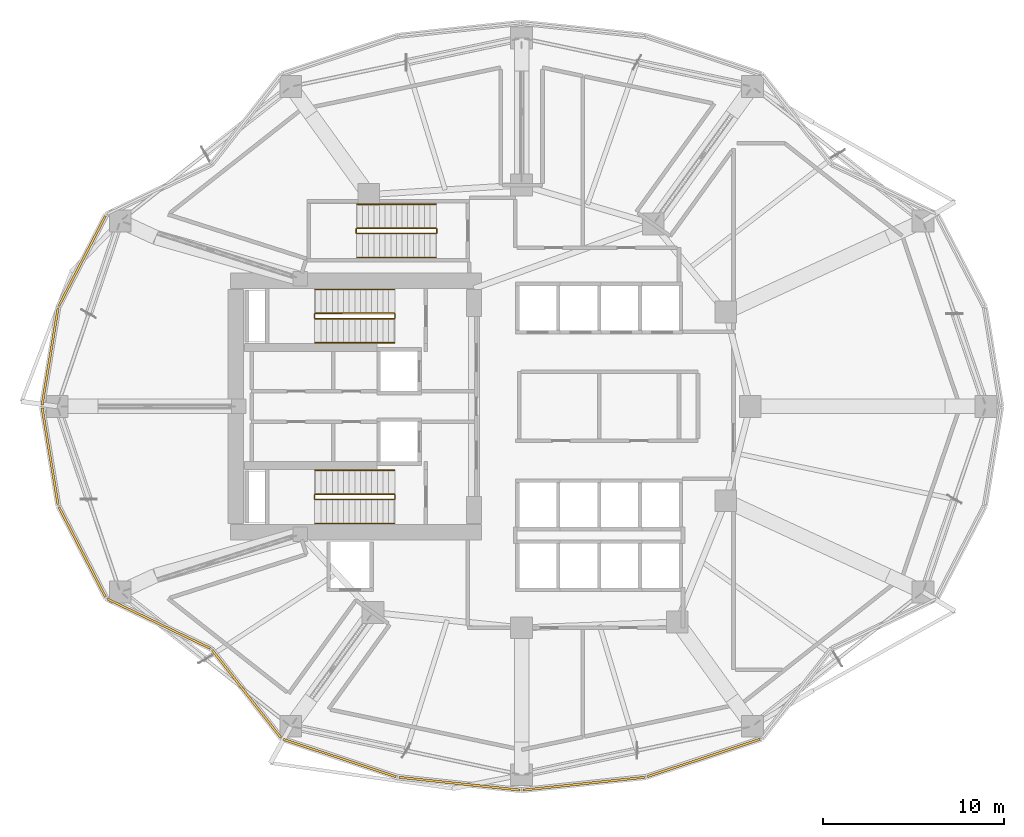
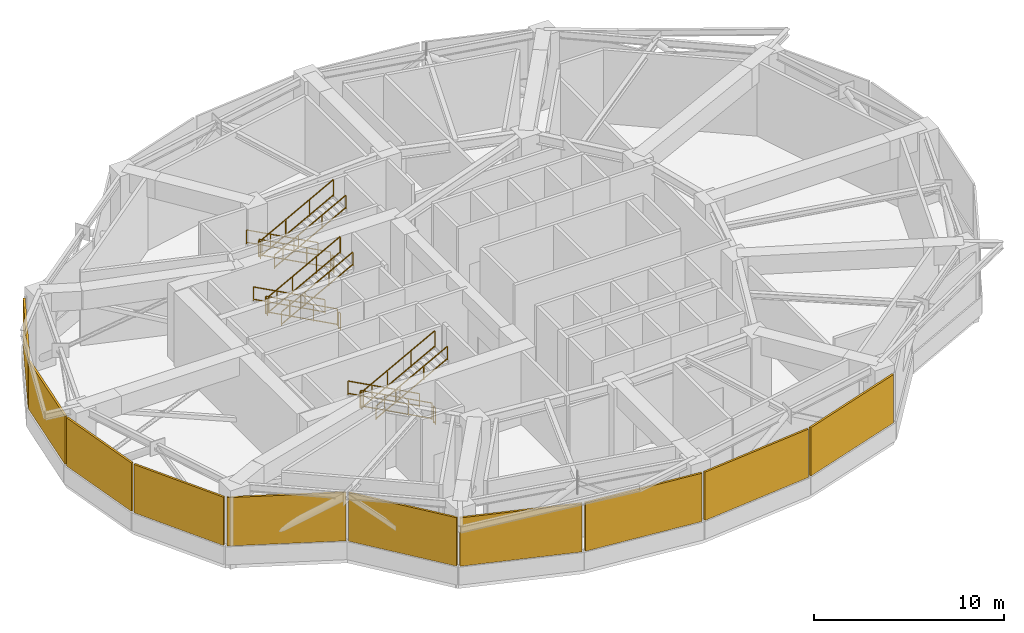
# One storey, part 11 of 12: 18 railings, 10 coverings.
"""IFC4 building model written with IfcOpenShell, lengths in metres."""

from ifc_helpers import new_model, si_unit, direction, frame, origin, origin_2d, place, context, subcontext, project, spatial, rectangle, extrude, material, layer, layer_set, type_object, element, save


model = new_model("IFC4")

# Units and contexts
model_context = context("Model", 3, precision=1e-05, world=origin(), true_north=direction((0.0, 1.0)))
body_context = subcontext(model_context, "Body", "Model", "MODEL_VIEW")
ifc_project = project(units=[si_unit("LENGTHUNIT", "METRE"), si_unit("AREAUNIT", "SQUARE_METRE"), si_unit("VOLUMEUNIT", "CUBIC_METRE"), si_unit("PLANEANGLEUNIT", "RADIAN"), si_unit("MASSUNIT", "GRAM", prefix="KILO")], contexts=[model_context])

# Site, building, storey
site_placement = place(None, origin())
site = spatial("IfcSite", under=ifc_project, at=site_placement, CompositionType="ELEMENT")
building_placement = place(site_placement, origin())
building = spatial("IfcBuilding", under=site, at=building_placement, Name="Kolvaren Gate Tower and Convention Centre", CompositionType="ELEMENT")
storey_placement = place(building_placement, frame((0.0, 0.0, 95.800048828125)))
storey = spatial("IfcBuildingStorey", under=building, at=storey_placement, Name="L23", CompositionType="ELEMENT", Elevation=95.800048828125)

# Coverings
ifc_material_1 = material(Name="Honed Warm Andean Limestone Rainscreen Cladding 120 mm", Category="masonry")
ifc_layer = layer(ifc_material_1, 0.1201171875)
ifc_layer_set = layer_set([ifc_layer], Name="Honed Warm Andean Limestone Rainscreen Cladding 120 mm")
covering_type = type_object("IfcCoveringType", Name="ARCH-COV-LOUVRE", PredefinedType="CLADDING", material=ifc_layer_set)
covering_1_placement = place(storey_placement, frame((5.908935546875, 35.0244140625, 1.139892578125), z_axis=(0.0, 0.0, 1.0), x_axis=(0.45980150925, 0.888021718254, 0.0)))
element("IfcCovering", 1, at=covering_1_placement, inside=storey, type_object=covering_type, Name="Plant Floor L23 Honed Limestone Rainscreen Cladding LV-10", PredefinedType="CLADDING", context=body_context, shape_type="SweptSolid", body=[
    extrude(rectangle(XDim=5.584228515625, YDim=0.1201171875, at=origin_2d()), origin(), (0.0, 0.0, 1.0), 3.10302734375),
])
for number, where, z_axis, x_axis, name in (
    (2, (4.137939453125, 29.737060546875, 1.139892578125), (0.0, 0.0, 1.0), (0.162375401515, 0.986729055508, 0.0), "Plant Floor L23 Honed Limestone Rainscreen Cladding LV-11"),
    (3, (4.137939453125, 24.262939453125, 1.139892578125), (0.0, 0.0, 1.0), (0.162375401515, -0.986729055508, 0.0), "Plant Floor L23 Honed Limestone Rainscreen Cladding LV-12"),
):
    element("IfcCovering", number, at=place(storey_placement, frame(where, z_axis=z_axis, x_axis=x_axis)), inside=storey, type_object=covering_type, Name=name, PredefinedType="CLADDING", context=body_context, shape_type="SweptSolid", body=[
        extrude(rectangle(XDim=5.3876953125, YDim=0.1201171875, at=origin_2d()), origin(), (0.0, 0.0, 1.0), 3.10302734375),
    ])
covering_2_placement = place(storey_placement, frame((5.908935546875, 18.9755859375, 1.139892578125), z_axis=(0.0, 0.0, 1.0), x_axis=(0.45980150925, -0.888021718254, 0.0)))
element("IfcCovering", 4, at=covering_2_placement, inside=storey, type_object=covering_type, Name="Plant Floor L23 Honed Limestone Rainscreen Cladding LV-13", PredefinedType="CLADDING", context=body_context, shape_type="SweptSolid", body=[
    extrude(rectangle(XDim=5.584228515625, YDim=0.1201171875, at=origin_2d()), origin(), (0.0, 0.0, 1.0), 3.10302734375),
])
covering_3_placement = place(storey_placement, frame((10.127685546875, 15.032470703125, 1.139892578125), z_axis=(0.0, 0.0, 1.0), x_axis=(0.901357634097, -0.433075530889, 0.0)))
element("IfcCovering", 5, at=covering_3_placement, inside=storey, type_object=covering_type, Name="Plant Floor L23 Honed Limestone Rainscreen Cladding LV-14", PredefinedType="CLADDING", context=body_context, shape_type="SweptSolid", body=[
    extrude(rectangle(XDim=6.27099609375, YDim=0.1201171875, at=origin_2d()), origin(), (0.0, 0.0, 1.0), 3.10302734375),
])
covering_4_placement = place(storey_placement, frame((14.966064453125, 11.161865234375, 1.139892578125), z_axis=(0.0, 0.0, 1.0), x_axis=(0.616431370541, -0.787408639407, 0.0)))
element("IfcCovering", 6, at=covering_4_placement, inside=storey, type_object=covering_type, Name="Plant Floor L23 Honed Limestone Rainscreen Cladding LV-15", PredefinedType="CLADDING", context=body_context, shape_type="SweptSolid", body=[
    extrude(rectangle(XDim=6.134521484375, YDim=0.1201171875, at=origin_2d()), origin(), (0.0, 0.0, 1.0), 3.10302734375),
])
covering_5_placement = place(storey_placement, frame((20.09423828125, 7.627197265625, 1.139892578125), z_axis=(0.0, 0.0, 1.0), x_axis=(0.949241728595, -0.314547517385, 0.0)))
element("IfcCovering", 7, at=covering_5_placement, inside=storey, type_object=covering_type, Name="Plant Floor L23 Honed Limestone Rainscreen Cladding LV-16", PredefinedType="CLADDING", context=body_context, shape_type="SweptSolid", body=[
    extrude(rectangle(XDim=6.557373046875, YDim=0.1201171875, at=origin_2d()), origin(), (0.0, 0.0, 1.0), 3.10302734375),
])
for number, where, z_axis, x_axis, name in (
    (8, (26.70361328125, 6.21044921875, 1.139892578125), (0.0, 0.0, 1.0), (0.994498884311, -0.104747167526, 0.0), "Plant Floor L23 Honed Limestone Rainscreen Cladding LV-17"),
    (9, (33.54638671875, 6.21044921875, 1.139892578125), (0.0, 0.0, 1.0), (0.994498884311, 0.104747167526, 0.0), "Plant Floor L23 Honed Limestone Rainscreen Cladding LV-18"),
):
    element("IfcCovering", number, at=place(storey_placement, frame(where, z_axis=z_axis, x_axis=x_axis)), inside=storey, type_object=covering_type, Name=name, PredefinedType="CLADDING", context=body_context, shape_type="SweptSolid", body=[
        extrude(rectangle(XDim=6.72021484375, YDim=0.1201171875, at=origin_2d()), origin(), (0.0, 0.0, 1.0), 3.10302734375),
    ])
covering_6_placement = place(storey_placement, frame((40.15576171875, 7.627197265625, 1.139892578125), z_axis=(0.0, 0.0, 1.0), x_axis=(0.949241728595, 0.314547517385, 0.0)))
element("IfcCovering", 10, at=covering_6_placement, inside=storey, type_object=covering_type, Name="Plant Floor L23 Honed Limestone Rainscreen Cladding LV-19", PredefinedType="CLADDING", context=body_context, shape_type="SweptSolid", body=[
    extrude(rectangle(XDim=6.557373046875, YDim=0.1201171875, at=origin_2d()), origin(), (0.0, 0.0, 1.0), 3.10302734375),
])

# Railings
ifc_material_2 = material(Name="Brushed Stainless Steel Grade 316L", Category="steel")
railing_type_1 = type_object("IfcRailingType", Name="ARCH-RL-GUARD-1150", PredefinedType="GUARDRAIL", material=ifc_material_2)
railing_1_placement = place(storey_placement, frame((23.10009765625, 32.1298828125, 0.16650390625)))
element("IfcRailing", 11, at=railing_1_placement, inside=storey, type_object=railing_type_1, Name="L23 ST-T1 stair guard 1", PredefinedType="GUARDRAIL", context=body_context, shape_type="SweptSolid", body=[
    extrude(rectangle(XDim=0.048095703125, YDim=0.048095703125, at=origin_2d()), frame((0.0, 0.0, 1.076171875), z_axis=(-0.880765247009, 0.0, 0.473553143439), x_axis=(0.0, -1.0, 0.0)), (0.0, 0.0, 1.0), 4.927734375),
    extrude(rectangle(XDim=0.048095703125, YDim=0.048095703125, at=origin_2d()), frame((0.0, 0.0, 0.083984375), z_axis=(-0.880765247009, 0.0, 0.473553143439), x_axis=(0.0, -1.0, 0.0)), (0.0, 0.0, 1.0), 4.927734375),
    extrude(rectangle(XDim=0.0419921875, YDim=0.0419921875, at=origin_2d()), origin(), (0.0, 0.0, 1.0), 1.050048828125),
    extrude(rectangle(XDim=0.0419921875, YDim=0.0419921875, at=origin_2d()), frame((-4.340087890625, 0.0, 2.33349609375)), (0.0, 0.0, 1.0), 1.050048828125),
    extrude(rectangle(XDim=0.0419921875, YDim=0.0419921875, at=origin_2d()), frame((-1.44677734375, 0.0, 0.77783203125)), (0.0, 0.0, 1.0), 1.050048828125),
    extrude(rectangle(XDim=0.0419921875, YDim=0.0419921875, at=origin_2d()), frame((-2.893310546875, 0.0, 1.5556640625)), (0.0, 0.0, 1.0), 1.050048828125),
])
railing_2_placement = place(storey_placement, frame((18.7099609375, 32.080078125, 2.5)))
element("IfcRailing", 12, at=railing_2_placement, inside=storey, type_object=railing_type_1, Name="L23 ST-T1 stair guard 2", PredefinedType="GUARDRAIL", context=body_context, shape_type="SweptSolid", body=[
    extrude(rectangle(XDim=0.048095703125, YDim=0.048095703125, at=origin_2d()), frame((0.0, 0.0, 1.076171875), z_axis=(0.0, -1.0, 0.0), x_axis=(1.0, 0.0, 0.0)), (0.0, 0.0, 1.0), 0.2001953125),
    extrude(rectangle(XDim=0.048095703125, YDim=0.048095703125, at=origin_2d()), frame((0.0, 0.0, 0.083984375), z_axis=(0.0, -1.0, 0.0), x_axis=(1.0, 0.0, 0.0)), (0.0, 0.0, 1.0), 0.2001953125),
    extrude(rectangle(XDim=0.0419921875, YDim=0.0419921875, at=origin_2d()), origin(), (0.0, 0.0, 1.0), 1.050048828125),
    extrude(rectangle(XDim=0.0419921875, YDim=0.0419921875, at=origin_2d()), frame((0.0, -0.2001953125, 0.0)), (0.0, 0.0, 1.0), 1.050048828125),
])
railing_3_placement = place(storey_placement, frame((18.760009765625, 31.830078125, 2.66650390625)))
element("IfcRailing", 13, at=railing_3_placement, inside=storey, type_object=railing_type_1, Name="L23 ST-T1 stair guard 3", PredefinedType="GUARDRAIL", context=body_context, shape_type="SweptSolid", body=[
    extrude(rectangle(XDim=0.048095703125, YDim=0.048095703125, at=origin_2d()), frame((0.0, 0.0, 1.076171875), z_axis=(0.880765247009, 0.0, 0.473553143439), x_axis=(0.0, 1.0, 0.0)), (0.0, 0.0, 1.0), 4.927734375),
    extrude(rectangle(XDim=0.048095703125, YDim=0.048095703125, at=origin_2d()), frame((0.0, 0.0, 0.083984375), z_axis=(0.880765247009, 0.0, 0.473553143439), x_axis=(0.0, 1.0, 0.0)), (0.0, 0.0, 1.0), 4.927734375),
    extrude(rectangle(XDim=0.0419921875, YDim=0.0419921875, at=origin_2d()), origin(), (0.0, 0.0, 1.0), 1.050048828125),
    extrude(rectangle(XDim=0.0419921875, YDim=0.0419921875, at=origin_2d()), frame((4.340087890625, 0.0, 2.33349609375)), (0.0, 0.0, 1.0), 1.050048828125),
    extrude(rectangle(XDim=0.0419921875, YDim=0.0419921875, at=origin_2d()), frame((1.44677734375, 0.0, 0.77783203125)), (0.0, 0.0, 1.0), 1.050048828125),
    extrude(rectangle(XDim=0.0419921875, YDim=0.0419921875, at=origin_2d()), frame((2.893310546875, 0.0, 1.5556640625)), (0.0, 0.0, 1.0), 1.050048828125),
])
railing_4_placement = place(storey_placement, frame((23.14990234375, 32.080078125, 0.0)))
element("IfcRailing", 14, at=railing_4_placement, inside=storey, type_object=railing_type_1, Name="L23 ST-T1 stair guard 4", PredefinedType="GUARDRAIL", context=body_context, shape_type="SweptSolid", body=[
    extrude(rectangle(XDim=0.048095703125, YDim=0.048095703125, at=origin_2d()), frame((0.0, 0.0, 1.076171875), z_axis=(0.0, -1.0, 0.0), x_axis=(1.0, 0.0, 0.0)), (0.0, 0.0, 1.0), 0.2001953125),
    extrude(rectangle(XDim=0.048095703125, YDim=0.048095703125, at=origin_2d()), frame((0.0, 0.0, 0.083984375), z_axis=(0.0, -1.0, 0.0), x_axis=(1.0, 0.0, 0.0)), (0.0, 0.0, 1.0), 0.2001953125),
    extrude(rectangle(XDim=0.0419921875, YDim=0.0419921875, at=origin_2d()), origin(), (0.0, 0.0, 1.0), 1.050048828125),
    extrude(rectangle(XDim=0.0419921875, YDim=0.0419921875, at=origin_2d()), frame((0.0, -0.2001953125, 0.0)), (0.0, 0.0, 1.0), 1.050048828125),
])
railing_5_placement = place(storey_placement, frame((23.10009765625, 22.169921875, 0.16650390625)))
element("IfcRailing", 15, at=railing_5_placement, inside=storey, type_object=railing_type_1, Name="L23 ST-T2 stair guard 1", PredefinedType="GUARDRAIL", context=body_context, shape_type="SweptSolid", body=[
    extrude(rectangle(XDim=0.048095703125, YDim=0.048095703125, at=origin_2d()), frame((0.0, 0.0, 1.076171875), z_axis=(-0.880765247009, 0.0, 0.473553143439), x_axis=(0.0, -1.0, 0.0)), (0.0, 0.0, 1.0), 4.927734375),
    extrude(rectangle(XDim=0.048095703125, YDim=0.048095703125, at=origin_2d()), frame((0.0, 0.0, 0.083984375), z_axis=(-0.880765247009, 0.0, 0.473553143439), x_axis=(0.0, -1.0, 0.0)), (0.0, 0.0, 1.0), 4.927734375),
    extrude(rectangle(XDim=0.0419921875, YDim=0.0419921875, at=origin_2d()), origin(), (0.0, 0.0, 1.0), 1.050048828125),
    extrude(rectangle(XDim=0.0419921875, YDim=0.0419921875, at=origin_2d()), frame((-4.340087890625, 0.0, 2.33349609375)), (0.0, 0.0, 1.0), 1.050048828125),
    extrude(rectangle(XDim=0.0419921875, YDim=0.0419921875, at=origin_2d()), frame((-1.44677734375, 0.0, 0.77783203125)), (0.0, 0.0, 1.0), 1.050048828125),
    extrude(rectangle(XDim=0.0419921875, YDim=0.0419921875, at=origin_2d()), frame((-2.893310546875, 0.0, 1.5556640625)), (0.0, 0.0, 1.0), 1.050048828125),
])
railing_6_placement = place(storey_placement, frame((18.7099609375, 22.1201171875, 2.5)))
element("IfcRailing", 16, at=railing_6_placement, inside=storey, type_object=railing_type_1, Name="L23 ST-T2 stair guard 2", PredefinedType="GUARDRAIL", context=body_context, shape_type="SweptSolid", body=[
    extrude(rectangle(XDim=0.048095703125, YDim=0.048095703125, at=origin_2d()), frame((0.0, 0.0, 1.076171875), z_axis=(0.0, -1.0, 0.0), x_axis=(1.0, 0.0, 0.0)), (0.0, 0.0, 1.0), 0.2001953125),
    extrude(rectangle(XDim=0.048095703125, YDim=0.048095703125, at=origin_2d()), frame((0.0, 0.0, 0.083984375), z_axis=(0.0, -1.0, 0.0), x_axis=(1.0, 0.0, 0.0)), (0.0, 0.0, 1.0), 0.2001953125),
    extrude(rectangle(XDim=0.0419921875, YDim=0.0419921875, at=origin_2d()), origin(), (0.0, 0.0, 1.0), 1.050048828125),
    extrude(rectangle(XDim=0.0419921875, YDim=0.0419921875, at=origin_2d()), frame((0.0, -0.2001953125, 0.0)), (0.0, 0.0, 1.0), 1.050048828125),
])
railing_7_placement = place(storey_placement, frame((18.760009765625, 21.8701171875, 2.66650390625)))
element("IfcRailing", 17, at=railing_7_placement, inside=storey, type_object=railing_type_1, Name="L23 ST-T2 stair guard 3", PredefinedType="GUARDRAIL", context=body_context, shape_type="SweptSolid", body=[
    extrude(rectangle(XDim=0.048095703125, YDim=0.048095703125, at=origin_2d()), frame((0.0, 0.0, 1.076171875), z_axis=(0.880765247009, 0.0, 0.473553143439), x_axis=(0.0, 1.0, 0.0)), (0.0, 0.0, 1.0), 4.927734375),
    extrude(rectangle(XDim=0.048095703125, YDim=0.048095703125, at=origin_2d()), frame((0.0, 0.0, 0.083984375), z_axis=(0.880765247009, 0.0, 0.473553143439), x_axis=(0.0, 1.0, 0.0)), (0.0, 0.0, 1.0), 4.927734375),
    extrude(rectangle(XDim=0.0419921875, YDim=0.0419921875, at=origin_2d()), origin(), (0.0, 0.0, 1.0), 1.050048828125),
    extrude(rectangle(XDim=0.0419921875, YDim=0.0419921875, at=origin_2d()), frame((4.340087890625, 0.0, 2.33349609375)), (0.0, 0.0, 1.0), 1.050048828125),
    extrude(rectangle(XDim=0.0419921875, YDim=0.0419921875, at=origin_2d()), frame((1.44677734375, 0.0, 0.77783203125)), (0.0, 0.0, 1.0), 1.050048828125),
    extrude(rectangle(XDim=0.0419921875, YDim=0.0419921875, at=origin_2d()), frame((2.893310546875, 0.0, 1.5556640625)), (0.0, 0.0, 1.0), 1.050048828125),
])
railing_8_placement = place(storey_placement, frame((23.14990234375, 22.1201171875, 0.0)))
element("IfcRailing", 18, at=railing_8_placement, inside=storey, type_object=railing_type_1, Name="L23 ST-T2 stair guard 4", PredefinedType="GUARDRAIL", context=body_context, shape_type="SweptSolid", body=[
    extrude(rectangle(XDim=0.048095703125, YDim=0.048095703125, at=origin_2d()), frame((0.0, 0.0, 1.076171875), z_axis=(0.0, -1.0, 0.0), x_axis=(1.0, 0.0, 0.0)), (0.0, 0.0, 1.0), 0.2001953125),
    extrude(rectangle(XDim=0.048095703125, YDim=0.048095703125, at=origin_2d()), frame((0.0, 0.0, 0.083984375), z_axis=(0.0, -1.0, 0.0), x_axis=(1.0, 0.0, 0.0)), (0.0, 0.0, 1.0), 0.2001953125),
    extrude(rectangle(XDim=0.0419921875, YDim=0.0419921875, at=origin_2d()), origin(), (0.0, 0.0, 1.0), 1.050048828125),
    extrude(rectangle(XDim=0.0419921875, YDim=0.0419921875, at=origin_2d()), frame((0.0, -0.2001953125, 0.0)), (0.0, 0.0, 1.0), 1.050048828125),
])
railing_9_placement = place(storey_placement, frame((25.39990234375, 36.830078125, 0.16650390625)))
element("IfcRailing", 19, at=railing_9_placement, inside=storey, type_object=railing_type_1, Name="L23 ST-T3 stair guard 1", PredefinedType="GUARDRAIL", context=body_context, shape_type="SweptSolid", body=[
    extrude(rectangle(XDim=0.048095703125, YDim=0.048095703125, at=origin_2d()), frame((0.0, 0.0, 1.076171875), z_axis=(-0.88075413564, 0.0, 0.473573808981), x_axis=(0.0, -1.0, 0.0)), (0.0, 0.0, 1.0), 4.927490234375),
    extrude(rectangle(XDim=0.048095703125, YDim=0.048095703125, at=origin_2d()), frame((0.0, 0.0, 0.083984375), z_axis=(-0.88075413564, 0.0, 0.473573808981), x_axis=(0.0, -1.0, 0.0)), (0.0, 0.0, 1.0), 4.927490234375),
    extrude(rectangle(XDim=0.0419921875, YDim=0.0419921875, at=origin_2d()), origin(), (0.0, 0.0, 1.0), 1.050048828125),
    extrude(rectangle(XDim=0.0419921875, YDim=0.0419921875, at=origin_2d()), frame((-4.33984375, 0.0, 2.33349609375)), (0.0, 0.0, 1.0), 1.050048828125),
    extrude(rectangle(XDim=0.0419921875, YDim=0.0419921875, at=origin_2d()), frame((-1.446533203125, 0.0, 0.77783203125)), (0.0, 0.0, 1.0), 1.050048828125),
    extrude(rectangle(XDim=0.0419921875, YDim=0.0419921875, at=origin_2d()), frame((-2.893310546875, 0.0, 1.5556640625)), (0.0, 0.0, 1.0), 1.050048828125),
])
railing_10_placement = place(storey_placement, frame((21.010009765625, 36.780029296875, 2.5)))
element("IfcRailing", 20, at=railing_10_placement, inside=storey, type_object=railing_type_1, Name="L23 ST-T3 stair guard 2", PredefinedType="GUARDRAIL", context=body_context, shape_type="SweptSolid", body=[
    extrude(rectangle(XDim=0.048095703125, YDim=0.048095703125, at=origin_2d()), frame((0.0, 0.0, 1.076171875), z_axis=(0.0, -1.0, 0.0), x_axis=(1.0, 0.0, 0.0)), (0.0, 0.0, 1.0), 0.199951171875),
    extrude(rectangle(XDim=0.048095703125, YDim=0.048095703125, at=origin_2d()), frame((0.0, 0.0, 0.083984375), z_axis=(0.0, -1.0, 0.0), x_axis=(1.0, 0.0, 0.0)), (0.0, 0.0, 1.0), 0.199951171875),
    extrude(rectangle(XDim=0.0419921875, YDim=0.0419921875, at=origin_2d()), origin(), (0.0, 0.0, 1.0), 1.050048828125),
    extrude(rectangle(XDim=0.0419921875, YDim=0.0419921875, at=origin_2d()), frame((0.0, -0.199951171875, 0.0)), (0.0, 0.0, 1.0), 1.050048828125),
])
railing_11_placement = place(storey_placement, frame((21.06005859375, 36.530029296875, 2.66650390625)))
element("IfcRailing", 21, at=railing_11_placement, inside=storey, type_object=railing_type_1, Name="L23 ST-T3 stair guard 3", PredefinedType="GUARDRAIL", context=body_context, shape_type="SweptSolid", body=[
    extrude(rectangle(XDim=0.048095703125, YDim=0.048095703125, at=origin_2d()), frame((0.0, 0.0, 1.076171875), z_axis=(0.88075413564, 0.0, 0.473573808981), x_axis=(0.0, 1.0, 0.0)), (0.0, 0.0, 1.0), 4.927490234375),
    extrude(rectangle(XDim=0.048095703125, YDim=0.048095703125, at=origin_2d()), frame((0.0, 0.0, 0.083984375), z_axis=(0.88075413564, 0.0, 0.473573808981), x_axis=(0.0, 1.0, 0.0)), (0.0, 0.0, 1.0), 4.927490234375),
    extrude(rectangle(XDim=0.0419921875, YDim=0.0419921875, at=origin_2d()), origin(), (0.0, 0.0, 1.0), 1.050048828125),
    extrude(rectangle(XDim=0.0419921875, YDim=0.0419921875, at=origin_2d()), frame((4.33984375, 0.0, 2.33349609375)), (0.0, 0.0, 1.0), 1.050048828125),
    extrude(rectangle(XDim=0.0419921875, YDim=0.0419921875, at=origin_2d()), frame((1.446533203125, 0.0, 0.77783203125)), (0.0, 0.0, 1.0), 1.050048828125),
    extrude(rectangle(XDim=0.0419921875, YDim=0.0419921875, at=origin_2d()), frame((2.893310546875, 0.0, 1.5556640625)), (0.0, 0.0, 1.0), 1.050048828125),
])
railing_12_placement = place(storey_placement, frame((25.449951171875, 36.780029296875, 0.0)))
element("IfcRailing", 22, at=railing_12_placement, inside=storey, type_object=railing_type_1, Name="L23 ST-T3 stair guard 4", PredefinedType="GUARDRAIL", context=body_context, shape_type="SweptSolid", body=[
    extrude(rectangle(XDim=0.048095703125, YDim=0.048095703125, at=origin_2d()), frame((0.0, 0.0, 1.076171875), z_axis=(0.0, -1.0, 0.0), x_axis=(1.0, 0.0, 0.0)), (0.0, 0.0, 1.0), 0.199951171875),
    extrude(rectangle(XDim=0.048095703125, YDim=0.048095703125, at=origin_2d()), frame((0.0, 0.0, 0.083984375), z_axis=(0.0, -1.0, 0.0), x_axis=(1.0, 0.0, 0.0)), (0.0, 0.0, 1.0), 0.199951171875),
    extrude(rectangle(XDim=0.0419921875, YDim=0.0419921875, at=origin_2d()), origin(), (0.0, 0.0, 1.0), 1.050048828125),
    extrude(rectangle(XDim=0.0419921875, YDim=0.0419921875, at=origin_2d()), frame((0.0, -0.199951171875, 0.0)), (0.0, 0.0, 1.0), 1.050048828125),
])
railing_type_2 = type_object("IfcRailingType", Name="ARCH-RL-HANDRAIL-920", PredefinedType="HANDRAIL", material=ifc_material_2)
railing_13_placement = place(storey_placement, frame((23.10009765625, 33.449951171875, 0.16650390625)))
element("IfcRailing", 23, at=railing_13_placement, inside=storey, type_object=railing_type_2, Name="L23 ST-T1 stair handrail 1", PredefinedType="HANDRAIL", context=body_context, shape_type="SweptSolid", body=[
    extrude(rectangle(XDim=0.048095703125, YDim=0.048095703125, at=origin_2d()), frame((0.0, 0.0, 0.8759765625), z_axis=(-0.880765247009, 0.0, 0.473553143439), x_axis=(0.0, -1.0, 0.0)), (0.0, 0.0, 1.0), 4.927734375),
    extrude(rectangle(XDim=0.048095703125, YDim=0.048095703125, at=origin_2d()), frame((0.0, 0.0, 0.083984375), z_axis=(-0.880765247009, 0.0, 0.473553143439), x_axis=(0.0, -1.0, 0.0)), (0.0, 0.0, 1.0), 4.927734375),
    extrude(rectangle(XDim=0.0419921875, YDim=0.0419921875, at=origin_2d()), origin(), (0.0, 0.0, 1.0), 0.849853515625),
    extrude(rectangle(XDim=0.0419921875, YDim=0.0419921875, at=origin_2d()), frame((-4.340087890625, 0.0, 2.33349609375)), (0.0, 0.0, 1.0), 0.849853515625),
    extrude(rectangle(XDim=0.0419921875, YDim=0.0419921875, at=origin_2d()), frame((-1.44677734375, 0.0, 0.77783203125)), (0.0, 0.0, 1.0), 0.849853515625),
    extrude(rectangle(XDim=0.0419921875, YDim=0.0419921875, at=origin_2d()), frame((-2.893310546875, 0.0, 1.5556640625)), (0.0, 0.0, 1.0), 0.849853515625),
])
railing_14_placement = place(storey_placement, frame((18.760009765625, 30.510009765625, 2.66650390625)))
element("IfcRailing", 24, at=railing_14_placement, inside=storey, type_object=railing_type_2, Name="L23 ST-T1 stair handrail 2", PredefinedType="HANDRAIL", context=body_context, shape_type="SweptSolid", body=[
    extrude(rectangle(XDim=0.048095703125, YDim=0.048095703125, at=origin_2d()), frame((0.0, 0.0, 0.8759765625), z_axis=(0.880765247009, 0.0, 0.473553143439), x_axis=(0.0, 1.0, 0.0)), (0.0, 0.0, 1.0), 4.927734375),
    extrude(rectangle(XDim=0.048095703125, YDim=0.048095703125, at=origin_2d()), frame((0.0, 0.0, 0.083984375), z_axis=(0.880765247009, 0.0, 0.473553143439), x_axis=(0.0, 1.0, 0.0)), (0.0, 0.0, 1.0), 4.927734375),
    extrude(rectangle(XDim=0.0419921875, YDim=0.0419921875, at=origin_2d()), origin(), (0.0, 0.0, 1.0), 0.849853515625),
    extrude(rectangle(XDim=0.0419921875, YDim=0.0419921875, at=origin_2d()), frame((4.340087890625, 0.0, 2.33349609375)), (0.0, 0.0, 1.0), 0.849853515625),
    extrude(rectangle(XDim=0.0419921875, YDim=0.0419921875, at=origin_2d()), frame((1.44677734375, 0.0, 0.77783203125)), (0.0, 0.0, 1.0), 0.849853515625),
    extrude(rectangle(XDim=0.0419921875, YDim=0.0419921875, at=origin_2d()), frame((2.893310546875, 0.0, 1.5556640625)), (0.0, 0.0, 1.0), 0.849853515625),
])
railing_15_placement = place(storey_placement, frame((23.10009765625, 23.489990234375, 0.16650390625)))
element("IfcRailing", 25, at=railing_15_placement, inside=storey, type_object=railing_type_2, Name="L23 ST-T2 stair handrail 1", PredefinedType="HANDRAIL", context=body_context, shape_type="SweptSolid", body=[
    extrude(rectangle(XDim=0.048095703125, YDim=0.048095703125, at=origin_2d()), frame((0.0, 0.0, 0.8759765625), z_axis=(-0.880765247009, 0.0, 0.473553143439), x_axis=(0.0, -1.0, 0.0)), (0.0, 0.0, 1.0), 4.927734375),
    extrude(rectangle(XDim=0.048095703125, YDim=0.048095703125, at=origin_2d()), frame((0.0, 0.0, 0.083984375), z_axis=(-0.880765247009, 0.0, 0.473553143439), x_axis=(0.0, -1.0, 0.0)), (0.0, 0.0, 1.0), 4.927734375),
    extrude(rectangle(XDim=0.0419921875, YDim=0.0419921875, at=origin_2d()), origin(), (0.0, 0.0, 1.0), 0.849853515625),
    extrude(rectangle(XDim=0.0419921875, YDim=0.0419921875, at=origin_2d()), frame((-4.340087890625, 0.0, 2.33349609375)), (0.0, 0.0, 1.0), 0.849853515625),
    extrude(rectangle(XDim=0.0419921875, YDim=0.0419921875, at=origin_2d()), frame((-1.44677734375, 0.0, 0.77783203125)), (0.0, 0.0, 1.0), 0.849853515625),
    extrude(rectangle(XDim=0.0419921875, YDim=0.0419921875, at=origin_2d()), frame((-2.893310546875, 0.0, 1.5556640625)), (0.0, 0.0, 1.0), 0.849853515625),
])
railing_16_placement = place(storey_placement, frame((18.760009765625, 20.550048828125, 2.66650390625)))
element("IfcRailing", 26, at=railing_16_placement, inside=storey, type_object=railing_type_2, Name="L23 ST-T2 stair handrail 2", PredefinedType="HANDRAIL", context=body_context, shape_type="SweptSolid", body=[
    extrude(rectangle(XDim=0.048095703125, YDim=0.048095703125, at=origin_2d()), frame((0.0, 0.0, 0.8759765625), z_axis=(0.880765247009, 0.0, 0.473553143439), x_axis=(0.0, 1.0, 0.0)), (0.0, 0.0, 1.0), 4.927734375),
    extrude(rectangle(XDim=0.048095703125, YDim=0.048095703125, at=origin_2d()), frame((0.0, 0.0, 0.083984375), z_axis=(0.880765247009, 0.0, 0.473553143439), x_axis=(0.0, 1.0, 0.0)), (0.0, 0.0, 1.0), 4.927734375),
    extrude(rectangle(XDim=0.0419921875, YDim=0.0419921875, at=origin_2d()), origin(), (0.0, 0.0, 1.0), 0.849853515625),
    extrude(rectangle(XDim=0.0419921875, YDim=0.0419921875, at=origin_2d()), frame((4.340087890625, 0.0, 2.33349609375)), (0.0, 0.0, 1.0), 0.849853515625),
    extrude(rectangle(XDim=0.0419921875, YDim=0.0419921875, at=origin_2d()), frame((1.44677734375, 0.0, 0.77783203125)), (0.0, 0.0, 1.0), 0.849853515625),
    extrude(rectangle(XDim=0.0419921875, YDim=0.0419921875, at=origin_2d()), frame((2.893310546875, 0.0, 1.5556640625)), (0.0, 0.0, 1.0), 0.849853515625),
])
railing_17_placement = place(storey_placement, frame((25.39990234375, 38.14990234375, 0.16650390625)))
element("IfcRailing", 27, at=railing_17_placement, inside=storey, type_object=railing_type_2, Name="L23 ST-T3 stair handrail 1", PredefinedType="HANDRAIL", context=body_context, shape_type="SweptSolid", body=[
    extrude(rectangle(XDim=0.048095703125, YDim=0.048095703125, at=origin_2d()), frame((0.0, 0.0, 0.8759765625), z_axis=(-0.88075413564, 0.0, 0.473573808981), x_axis=(0.0, -1.0, 0.0)), (0.0, 0.0, 1.0), 4.927490234375),
    extrude(rectangle(XDim=0.048095703125, YDim=0.048095703125, at=origin_2d()), frame((0.0, 0.0, 0.083984375), z_axis=(-0.88075413564, 0.0, 0.473573808981), x_axis=(0.0, -1.0, 0.0)), (0.0, 0.0, 1.0), 4.927490234375),
    extrude(rectangle(XDim=0.0419921875, YDim=0.0419921875, at=origin_2d()), origin(), (0.0, 0.0, 1.0), 0.849853515625),
    extrude(rectangle(XDim=0.0419921875, YDim=0.0419921875, at=origin_2d()), frame((-4.33984375, 0.0, 2.33349609375)), (0.0, 0.0, 1.0), 0.849853515625),
    extrude(rectangle(XDim=0.0419921875, YDim=0.0419921875, at=origin_2d()), frame((-1.446533203125, 0.0, 0.77783203125)), (0.0, 0.0, 1.0), 0.849853515625),
    extrude(rectangle(XDim=0.0419921875, YDim=0.0419921875, at=origin_2d()), frame((-2.893310546875, 0.0, 1.5556640625)), (0.0, 0.0, 1.0), 0.849853515625),
])
railing_18_placement = place(storey_placement, frame((21.06005859375, 35.2099609375, 2.66650390625)))
element("IfcRailing", 28, at=railing_18_placement, inside=storey, type_object=railing_type_2, Name="L23 ST-T3 stair handrail 2", PredefinedType="HANDRAIL", context=body_context, shape_type="SweptSolid", body=[
    extrude(rectangle(XDim=0.048095703125, YDim=0.048095703125, at=origin_2d()), frame((0.0, 0.0, 0.8759765625), z_axis=(0.88075413564, 0.0, 0.473573808981), x_axis=(0.0, 1.0, 0.0)), (0.0, 0.0, 1.0), 4.927490234375),
    extrude(rectangle(XDim=0.048095703125, YDim=0.048095703125, at=origin_2d()), frame((0.0, 0.0, 0.083984375), z_axis=(0.88075413564, 0.0, 0.473573808981), x_axis=(0.0, 1.0, 0.0)), (0.0, 0.0, 1.0), 4.927490234375),
    extrude(rectangle(XDim=0.0419921875, YDim=0.0419921875, at=origin_2d()), origin(), (0.0, 0.0, 1.0), 0.849853515625),
    extrude(rectangle(XDim=0.0419921875, YDim=0.0419921875, at=origin_2d()), frame((4.33984375, 0.0, 2.33349609375)), (0.0, 0.0, 1.0), 0.849853515625),
    extrude(rectangle(XDim=0.0419921875, YDim=0.0419921875, at=origin_2d()), frame((1.446533203125, 0.0, 0.77783203125)), (0.0, 0.0, 1.0), 0.849853515625),
    extrude(rectangle(XDim=0.0419921875, YDim=0.0419921875, at=origin_2d()), frame((2.893310546875, 0.0, 1.5556640625)), (0.0, 0.0, 1.0), 0.849853515625),
])

save(model, "model.ifc")
